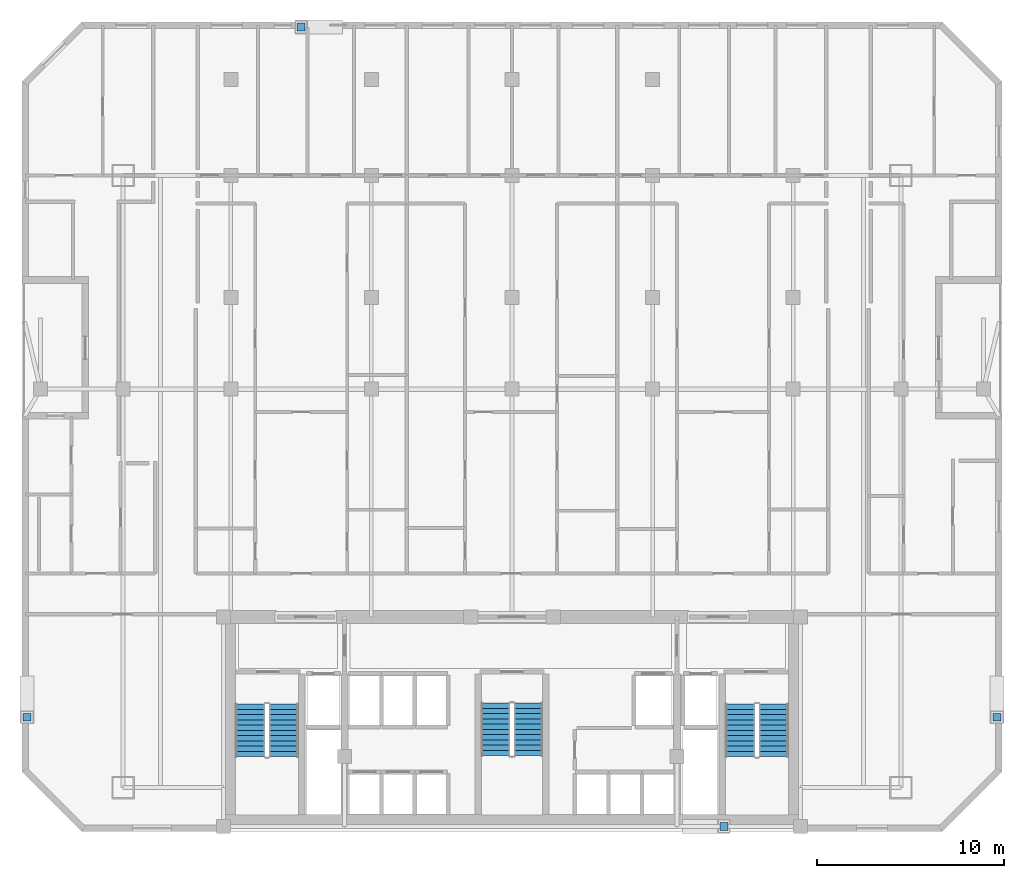
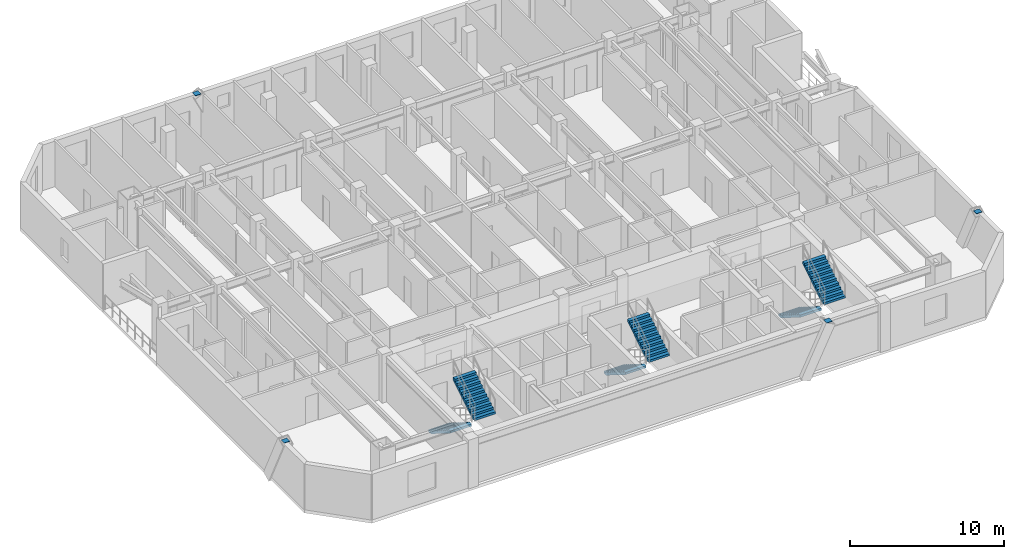
# One storey, part 9 of 11: 6 stair flights, 4 discrete accessories, 3 elements without a shape of their own.
"""IFC4 building model written with IfcOpenShell, lengths in metres."""

from ifc_helpers import new_model, si_unit, direction, frame, origin, origin_2d, place, context, subcontext, project, spatial, polyline, rectangle, outline, extrude, material, type_object, element, aggregate, save


model = new_model("IFC4")

# Units and contexts
model_context = context("Model", 3, precision=1e-05, world=origin(), true_north=direction((0.0, 1.0)))
body_context = subcontext(model_context, "Body", "Model", "MODEL_VIEW")
ifc_project = project(units=[si_unit("LENGTHUNIT", "METRE"), si_unit("AREAUNIT", "SQUARE_METRE"), si_unit("VOLUMEUNIT", "CUBIC_METRE"), si_unit("PLANEANGLEUNIT", "RADIAN"), si_unit("MASSUNIT", "GRAM", prefix="KILO")], contexts=[model_context])

# Site, building, storey
site_placement = place(None, origin())
site = spatial("IfcSite", under=ifc_project, at=site_placement, CompositionType="ELEMENT")
building_placement = place(site_placement, origin())
building = spatial("IfcBuilding", under=site, at=building_placement, Name="Ventersveld Concourse Tower", CompositionType="ELEMENT")
storey_placement = place(building_placement, frame((0.0, 0.0, 111.85009765625)))
storey = spatial("IfcBuildingStorey", under=building, at=storey_placement, Name="L27", CompositionType="ELEMENT", Elevation=111.85009765625)

# Stair, stair flights
ifc_material_1 = material(Name="Concrete C50/60", Category="concrete")
stair_type_1 = type_object("IfcStairType", Name="ST-DOG-155", PredefinedType="HALF_TURN_STAIR", material=ifc_material_1)
stair_1_placement = place(storey_placement, origin())
stair_1 = element("IfcStair", 1, at=stair_1_placement, inside=storey, type_object=stair_type_1, Name="L27 Protected Central Core Escape Stair ST-03", PredefinedType="HALF_TURN_STAIR")
stair_flight_type_1 = type_object("IfcStairFlightType", Name="STF-RC-155", PredefinedType="STRAIGHT", material=ifc_material_1)
stair_flight_1_placement = place(storey_placement, frame((27.875, 6.85009765625, 0.0), z_axis=(0.0, 0.0, 1.0), x_axis=(0.0, -1.0, 0.0)))
stair_flight_1 = element("IfcStairFlight", 2, at=stair_flight_1_placement, type_object=stair_flight_type_1, Name="ST-03 flight 1", NumberOfRisers=11, NumberOfTreads=10, PredefinedType="STRAIGHT", RiserHeight=0.175, TreadLength=0.28, context=body_context, shape_type="SweptSolid", body=[
    extrude(outline(polyline([(0.0, 0.0), (0.0, 0.175048828125), (0.280029296875, 0.175048828125), (0.280029296875, 0.35009765625), (0.56005859375, 0.35009765625), (0.56005859375, 0.52490234375), (0.840087890625, 0.52490234375), (0.840087890625, 0.699951171875), (1.1201171875, 0.699951171875), (1.1201171875, 0.875), (1.39990234375, 0.875), (1.39990234375, 1.050048828125), (1.679931640625, 1.050048828125), (1.679931640625, 1.22509765625), (1.9599609375, 1.22509765625), (1.9599609375, 1.39990234375), (2.239990234375, 1.39990234375), (2.239990234375, 1.574951171875), (2.52001953125, 1.574951171875), (2.52001953125, 1.75), (2.800048828125, 1.75), (2.800048828125, 1.925048828125), (2.800048828125, 1.5732421875), (0.28271484375, 0.0), (0.0, 0.0)])), frame((0.0, 0.77490234375, 0.0), z_axis=(0.0, -1.0, 0.0), x_axis=(1.0, 0.0, 0.0)), (0.0, 0.0, 1.0), 1.550048828125),
])
stair_flight_2_placement = place(storey_placement, frame((29.625, 4.050048828125, 1.9248046875), z_axis=(0.0, 0.0, 1.0), x_axis=(0.0, 1.0, 0.0)))
stair_flight_2 = element("IfcStairFlight", 3, at=stair_flight_2_placement, type_object=stair_flight_type_1, Name="ST-03 flight 2", NumberOfRisers=11, NumberOfTreads=10, PredefinedType="STRAIGHT", RiserHeight=0.175, TreadLength=0.28, context=body_context, shape_type="SweptSolid", body=[
    extrude(outline(polyline([(0.0, 0.0), (0.0, 0.175048828125), (0.280029296875, 0.175048828125), (0.280029296875, 0.35009765625), (0.56005859375, 0.35009765625), (0.56005859375, 0.52490234375), (0.840087890625, 0.52490234375), (0.840087890625, 0.699951171875), (1.1201171875, 0.699951171875), (1.1201171875, 0.875), (1.39990234375, 0.875), (1.39990234375, 1.050048828125), (1.679931640625, 1.050048828125), (1.679931640625, 1.22509765625), (1.9599609375, 1.22509765625), (1.9599609375, 1.39990234375), (2.239990234375, 1.39990234375), (2.239990234375, 1.574951171875), (2.52001953125, 1.574951171875), (2.52001953125, 1.75), (2.800048828125, 1.75), (2.800048828125, 1.925048828125), (2.800048828125, 1.5732421875), (0.28271484375, 0.0), (0.0, 0.0)])), frame((0.0, 0.77490234375, 0.0), z_axis=(0.0, -1.0, 0.0), x_axis=(1.0, 0.0, 0.0)), (0.0, 0.0, 1.0), 1.550048828125),
])
aggregate(stair_1, [stair_flight_1, stair_flight_2])

stair_type_2 = type_object("IfcStairType", Name="ST-DOG-160", PredefinedType="HALF_TURN_STAIR", material=ifc_material_1)
stair_2_placement = place(storey_placement, origin())
stair_2 = element("IfcStair", 4, at=stair_2_placement, inside=storey, type_object=stair_type_2, Name="L27 Protected Tower Escape Stair ST-01", PredefinedType="HALF_TURN_STAIR")
stair_flight_type_2 = type_object("IfcStairFlightType", Name="STF-RC-160", PredefinedType="STRAIGHT", material=ifc_material_1)
stair_flight_3_placement = place(storey_placement, frame((14.780029296875, 6.800048828125, 0.0), z_axis=(0.0, 0.0, 1.0), x_axis=(0.0, -1.0, 0.0)))
stair_flight_3 = element("IfcStairFlight", 5, at=stair_flight_3_placement, type_object=stair_flight_type_2, Name="ST-01 flight 1", NumberOfRisers=11, NumberOfTreads=10, PredefinedType="STRAIGHT", RiserHeight=0.175, TreadLength=0.28, context=body_context, shape_type="SweptSolid", body=[
    extrude(outline(polyline([(0.0, 0.0), (0.0, 0.175048828125), (0.280029296875, 0.175048828125), (0.280029296875, 0.35009765625), (0.56005859375, 0.35009765625), (0.56005859375, 0.52490234375), (0.840087890625, 0.52490234375), (0.840087890625, 0.699951171875), (1.1201171875, 0.699951171875), (1.1201171875, 0.875), (1.39990234375, 0.875), (1.39990234375, 1.050048828125), (1.679931640625, 1.050048828125), (1.679931640625, 1.22509765625), (1.9599609375, 1.22509765625), (1.9599609375, 1.39990234375), (2.239990234375, 1.39990234375), (2.239990234375, 1.574951171875), (2.52001953125, 1.574951171875), (2.52001953125, 1.75), (2.800048828125, 1.75), (2.800048828125, 1.925048828125), (2.800048828125, 1.5732421875), (0.28271484375, 0.0), (0.0, 0.0)])), frame((0.0, 0.800048828125, 0.0), z_axis=(0.0, -1.0, 0.0), x_axis=(1.0, 0.0, 0.0)), (0.0, 0.0, 1.0), 1.60009765625),
])
stair_flight_4_placement = place(storey_placement, frame((16.580078125, 4.0, 1.9248046875), z_axis=(0.0, 0.0, 1.0), x_axis=(0.0, 1.0, 0.0)))
stair_flight_4 = element("IfcStairFlight", 6, at=stair_flight_4_placement, type_object=stair_flight_type_2, Name="ST-01 flight 2", NumberOfRisers=11, NumberOfTreads=10, PredefinedType="STRAIGHT", RiserHeight=0.175, TreadLength=0.28, context=body_context, shape_type="SweptSolid", body=[
    extrude(outline(polyline([(0.0, 0.0), (0.0, 0.175048828125), (0.280029296875, 0.175048828125), (0.280029296875, 0.35009765625), (0.56005859375, 0.35009765625), (0.56005859375, 0.52490234375), (0.840087890625, 0.52490234375), (0.840087890625, 0.699951171875), (1.1201171875, 0.699951171875), (1.1201171875, 0.875), (1.39990234375, 0.875), (1.39990234375, 1.050048828125), (1.679931640625, 1.050048828125), (1.679931640625, 1.22509765625), (1.9599609375, 1.22509765625), (1.9599609375, 1.39990234375), (2.239990234375, 1.39990234375), (2.239990234375, 1.574951171875), (2.52001953125, 1.574951171875), (2.52001953125, 1.75), (2.800048828125, 1.75), (2.800048828125, 1.925048828125), (2.800048828125, 1.5732421875), (0.28271484375, 0.0), (0.0, 0.0)])), frame((0.0, 0.800048828125, 0.0), z_axis=(0.0, -1.0, 0.0), x_axis=(1.0, 0.0, 0.0)), (0.0, 0.0, 1.0), 1.60009765625),
])
aggregate(stair_2, [stair_flight_3, stair_flight_4])

stair_3_placement = place(storey_placement, origin())
stair_3 = element("IfcStair", 7, at=stair_3_placement, inside=storey, type_object=stair_type_2, Name="L27 Protected Tower Escape Stair ST-02", PredefinedType="HALF_TURN_STAIR")
stair_flight_5_placement = place(storey_placement, frame((40.919921875, 6.800048828125, 0.0), z_axis=(0.0, 0.0, 1.0), x_axis=(0.0, -1.0, 0.0)))
stair_flight_5 = element("IfcStairFlight", 8, at=stair_flight_5_placement, type_object=stair_flight_type_2, Name="ST-02 flight 1", NumberOfRisers=11, NumberOfTreads=10, PredefinedType="STRAIGHT", RiserHeight=0.175, TreadLength=0.28, context=body_context, shape_type="SweptSolid", body=[
    extrude(outline(polyline([(0.0, 0.0), (0.0, 0.175048828125), (0.280029296875, 0.175048828125), (0.280029296875, 0.35009765625), (0.56005859375, 0.35009765625), (0.56005859375, 0.52490234375), (0.840087890625, 0.52490234375), (0.840087890625, 0.699951171875), (1.1201171875, 0.699951171875), (1.1201171875, 0.875), (1.39990234375, 0.875), (1.39990234375, 1.050048828125), (1.679931640625, 1.050048828125), (1.679931640625, 1.22509765625), (1.9599609375, 1.22509765625), (1.9599609375, 1.39990234375), (2.239990234375, 1.39990234375), (2.239990234375, 1.574951171875), (2.52001953125, 1.574951171875), (2.52001953125, 1.75), (2.800048828125, 1.75), (2.800048828125, 1.925048828125), (2.800048828125, 1.5732421875), (0.28271484375, 0.0), (0.0, 0.0)])), frame((0.0, 0.800048828125, 0.0), z_axis=(0.0, -1.0, 0.0), x_axis=(1.0, 0.0, 0.0)), (0.0, 0.0, 1.0), 1.60009765625),
])
stair_flight_6_placement = place(storey_placement, frame((42.719970703125, 4.0, 1.9248046875), z_axis=(0.0, 0.0, 1.0), x_axis=(0.0, 1.0, 0.0)))
stair_flight_6 = element("IfcStairFlight", 9, at=stair_flight_6_placement, type_object=stair_flight_type_2, Name="ST-02 flight 2", NumberOfRisers=11, NumberOfTreads=10, PredefinedType="STRAIGHT", RiserHeight=0.175, TreadLength=0.28, context=body_context, shape_type="SweptSolid", body=[
    extrude(outline(polyline([(0.0, 0.0), (0.0, 0.175048828125), (0.280029296875, 0.175048828125), (0.280029296875, 0.35009765625), (0.56005859375, 0.35009765625), (0.56005859375, 0.52490234375), (0.840087890625, 0.52490234375), (0.840087890625, 0.699951171875), (1.1201171875, 0.699951171875), (1.1201171875, 0.875), (1.39990234375, 0.875), (1.39990234375, 1.050048828125), (1.679931640625, 1.050048828125), (1.679931640625, 1.22509765625), (1.9599609375, 1.22509765625), (1.9599609375, 1.39990234375), (2.239990234375, 1.39990234375), (2.239990234375, 1.574951171875), (2.52001953125, 1.574951171875), (2.52001953125, 1.75), (2.800048828125, 1.75), (2.800048828125, 1.925048828125), (2.800048828125, 1.5732421875), (0.28271484375, 0.0), (0.0, 0.0)])), frame((0.0, 0.800048828125, 0.0), z_axis=(0.0, -1.0, 0.0), x_axis=(1.0, 0.0, 0.0)), (0.0, 0.0, 1.0), 1.60009765625),
])
aggregate(stair_3, [stair_flight_5, stair_flight_6])

# Discrete accessories
ifc_material_2 = material(Name="Structural steel S355J2", Category="steel")
discrete_accessory_type = type_object("IfcDiscreteAccessoryType", Name="CONN-BRACE-ECP1", PredefinedType="BRACKET", material=ifc_material_2)
for number, where, z_axis, x_axis, name in (
    (10, (17.5, 42.919921875, 3.579833984375), (0.0, 0.0, 1.0), (1.0, 0.0, 0.0), "L27 Steel Brace End Connection Plate ECP1-0285"),
    (11, (40.050048828125, 0.280029296875, 3.579833984375), (0.0, 0.0, 1.0), (1.0, 0.0, 0.0), "L27 Steel Brace End Connection Plate ECP1-0289"),
    (12, (2.8798828125, 6.10009765625, 3.579833984375), (0.0, 0.0, 1.0), (1.0, 0.0, 0.0), "L27 Steel Brace End Connection Plate ECP1-0293"),
    (13, (54.6201171875, 6.10009765625, 3.579833984375), (0.0, 0.0, 1.0), (1.0, 0.0, 0.0), "L27 Steel Brace End Connection Plate ECP1-0297"),
):
    element("IfcDiscreteAccessory", number, at=place(storey_placement, frame(where, z_axis=z_axis, x_axis=x_axis)), inside=storey, type_object=discrete_accessory_type, Name=name, PredefinedType="BRACKET", context=body_context, shape_type="SweptSolid", body=[
        extrude(rectangle(XDim=0.419921875, YDim=0.419921875, at=origin_2d()), origin(), (0.0, 0.0, 1.0), 0.0400390625),
    ])

save(model, "model.ifc")
